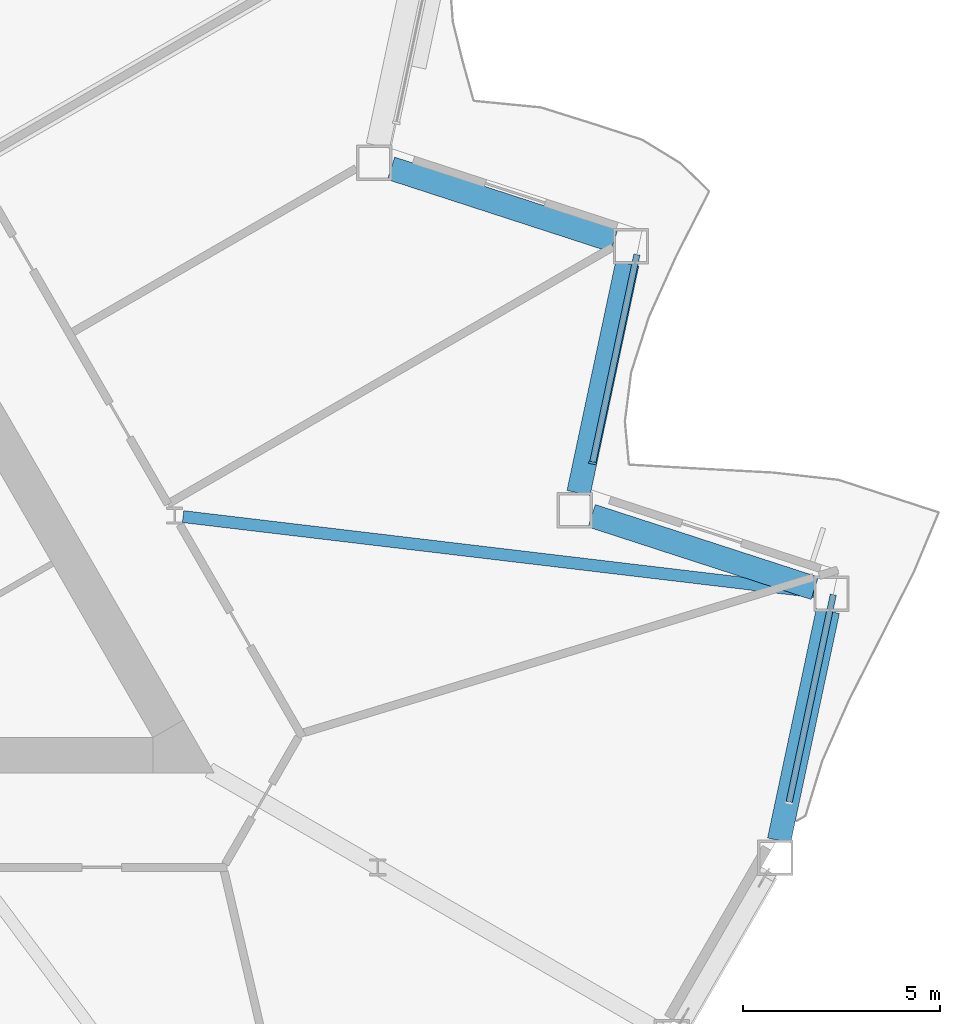
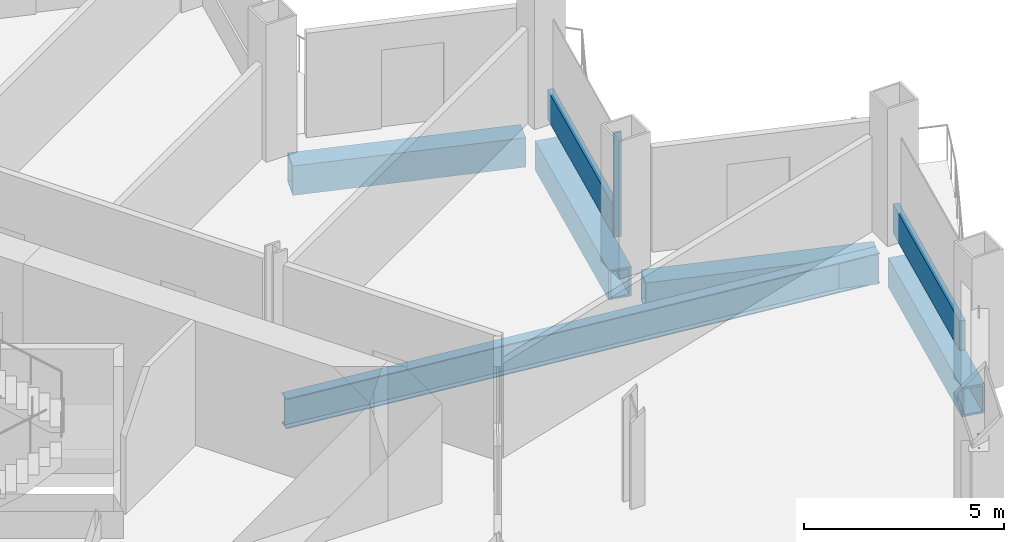
# One storey, part 6 of 21: 5 beams, 3 members, 2 elements without a shape of their own.
"""IFC4 building model written with IfcOpenShell, lengths in metres."""

from ifc_helpers import new_model, si_unit, direction, frame, origin, origin_2d, place, context, subcontext, project, spatial, rectangle, hollow_rectangle, i_section, extrude, material, layer, layer_set, material_profile, profile_set, type_object, element, aggregate, save


model = new_model("IFC4")

# Units and contexts
model_context = context("Model", 3, precision=1e-05, world=origin(), true_north=direction((0.0, 1.0)))
body_context = subcontext(model_context, "Body", "Model", "MODEL_VIEW")
ifc_project = project(units=[si_unit("LENGTHUNIT", "METRE"), si_unit("AREAUNIT", "SQUARE_METRE"), si_unit("VOLUMEUNIT", "CUBIC_METRE"), si_unit("PLANEANGLEUNIT", "RADIAN"), si_unit("MASSUNIT", "GRAM", prefix="KILO")], contexts=[model_context])

# Site, building, storey
site_placement = place(None, origin())
site = spatial("IfcSite", under=ifc_project, at=site_placement, CompositionType="ELEMENT")
building_placement = place(site_placement, origin())
building = spatial("IfcBuilding", under=site, at=building_placement, Name="Cormorant Prow Tower", CompositionType="ELEMENT")
storey_placement = place(building_placement, frame((0.0, 0.0, 99.60009765625)))
storey = spatial("IfcBuildingStorey", under=building, at=storey_placement, Name="L20", CompositionType="ELEMENT", Elevation=99.60009765625)

# Beams
ifc_material_1 = material(Name="Structural steel ASTM A572 Gr 50", Category="steel")
ifc_material_profile_1 = material_profile(ifc_material_1, hollow_rectangle(XDim=0.60009765625, YDim=0.89990234375, WallThickness=0.06005859375, at=origin_2d()), Name="Box 900x600x60")
ifc_profile_set_1 = profile_set([ifc_material_profile_1], Name="Structural steel ASTM A572 Gr 50")
beam_type_1 = type_object("IfcBeamType", Name="Belt truss top chord 900x600x60", PredefinedType="BEAM", material=ifc_profile_set_1)
beam_1_placement = place(storey_placement, frame((30.86279296875, -11.23974609375, -0.85009765625), z_axis=(0.207912620873, 0.978147403044, 0.0), x_axis=(-0.978147403044, 0.207912620873, 0.0)))
element("IfcBeam", 1, at=beam_1_placement, inside=storey, type_object=beam_type_1, Name="Belt truss top chord TC2 ENE00-ENE01 L20", PredefinedType="BEAM", context=body_context, shape_type="SweptSolid", body=[
    extrude(hollow_rectangle(XDim=0.60009765625, YDim=0.89990234375, WallThickness=0.06005859375, at=origin_2d()), origin(), (0.0, 0.0, 1.0), 5.962890625),
])
for number, where, z_axis, x_axis, name in (
    (2, (31.768310546875, -4.828125, -0.85009765625), (-0.951059340519, 0.309008302174, 0.0), (-0.309008302174, -0.951059340519, 0.0), "Belt truss top chord TC2 ENE01-ENE02 L20"),
    (3, (25.762939453125, -2.40625, -0.85009765625), (0.207920947907, 0.978145633033, 0.0), (-0.978145633033, 0.207920947907, 0.0), "Belt truss top chord TC2 ENE02-ENE03 L20"),
):
    element("IfcBeam", number, at=place(storey_placement, frame(where, z_axis=z_axis, x_axis=x_axis)), inside=storey, type_object=beam_type_1, Name=name, PredefinedType="BEAM", context=body_context, shape_type="SweptSolid", body=[
        extrude(hollow_rectangle(XDim=0.60009765625, YDim=0.89990234375, WallThickness=0.06005859375, at=origin_2d()), origin(), (0.0, 0.0, 1.0), 5.962646484375),
    ])
beam_2_placement = place(storey_placement, frame((26.668212890625, 4.00537109375, -0.85009765625), z_axis=(-0.951055430656, 0.309020335608, 0.0), x_axis=(-0.309020335608, -0.951055430656, 0.0)))
element("IfcBeam", 4, at=beam_2_placement, inside=storey, type_object=beam_type_1, Name="Belt truss top chord TC2 ENE03-ENE04 L20", PredefinedType="BEAM", context=body_context, shape_type="SweptSolid", body=[
    extrude(hollow_rectangle(XDim=0.60009765625, YDim=0.89990234375, WallThickness=0.06005859375, at=origin_2d()), origin(), (0.0, 0.0, 1.0), 5.96240234375),
])

# Curtain wall, member
ifc_material_2 = material(Name="Aluminium 6063-T6", Category="aluminium")
ifc_layer = layer(ifc_material_2, 0.199951171875)
ifc_layer_set = layer_set([ifc_layer], Name="Aluminium 6063-T6")
curtain_wall_type = type_object("IfcCurtainWallType", Name="Office unitised curtain wall 200", PredefinedType="NOTDEFINED", material=ifc_layer_set)
curtain_wall_1_placement = place(storey_placement, origin())
curtain_wall_1 = element("IfcCurtainWall", 5, at=curtain_wall_1_placement, inside=storey, type_object=curtain_wall_type, Name="Office curtain wall ENE02", PredefinedType="NOTDEFINED")
ifc_material_3 = material(Name="Aluminium 6063-T6", Category="aluminium")
ifc_material_profile_2 = material_profile(ifc_material_3, rectangle(XDim=0.199951171875, YDim=0.06005859375, at=origin_2d()), Name="Office mullion 60x200")
ifc_profile_set_2 = profile_set([ifc_material_profile_2], Name="Aluminium 6063-T6")
member_type_1 = type_object("IfcMemberType", Name="Office mullion 60x200", PredefinedType="MULLION", material=ifc_profile_set_2)
member_1_placement = place(storey_placement, frame((26.121337890625, -1.642333984375, 0.0), z_axis=(0.0, 0.0, 1.0), x_axis=(-0.978147583933, 0.207911769861, 0.0)))
member_1 = element("IfcMember", 6, at=member_1_placement, type_object=member_type_1, Name="Office mullion ENE02", PredefinedType="MULLION", context=body_context, shape_type="SweptSolid", body=[
    extrude(rectangle(XDim=0.199951171875, YDim=0.06005859375, at=origin_2d()), origin(), (0.0, 0.0, 1.0), 3.188720703125),
])

curtain_wall_2_placement = place(storey_placement, origin())
curtain_wall_2 = element("IfcCurtainWall", 7, at=curtain_wall_2_placement, inside=storey, type_object=curtain_wall_type, Name="Office curtain wall ENE00", PredefinedType="NOTDEFINED")
ifc_material_4 = material(Name="Terracotta", Category="masonry")
ifc_material_profile_3 = material_profile(ifc_material_4, rectangle(XDim=0.159912109375, YDim=0.89990234375, at=origin_2d()), Name="Office terracotta spandrel rail 160x900")
ifc_profile_set_3 = profile_set([ifc_material_profile_3], Name="Terracotta")
member_type_2 = type_object("IfcMemberType", Name="Office terracotta spandrel rail 160x900", PredefinedType="USERDEFINED", material=ifc_profile_set_3)
member_2_placement = place(storey_placement, frame((31.120361328125, -10.2607421875, 0.449951171875), z_axis=(0.207903748135, 0.978149288969, 0.0), x_axis=(-0.978149288969, 0.207903748135, 0.0)))
member_2 = element("IfcMember", 8, at=member_2_placement, type_object=member_type_2, Name="Office spandrel rail ENE00", ObjectType="TRANSOM", PredefinedType="USERDEFINED", context=body_context, shape_type="SweptSolid", body=[
    extrude(rectangle(XDim=0.159912109375, YDim=0.89990234375, at=origin_2d()), origin(), (0.0, 0.0, 1.0), 5.386474609375),
])
aggregate(curtain_wall_2, [member_2])

# Member
member_3_placement = place(storey_placement, frame((26.127685546875, -1.613037109375, 0.449951171875), z_axis=(0.207912965778, 0.978147329732, 0.0), x_axis=(-0.978147329732, 0.207912965778, 0.0)))
member_3 = element("IfcMember", 9, at=member_3_placement, type_object=member_type_2, Name="Office spandrel rail ENE02", ObjectType="TRANSOM", PredefinedType="USERDEFINED", context=body_context, shape_type="SweptSolid", body=[
    extrude(rectangle(XDim=0.159912109375, YDim=0.89990234375, at=origin_2d()), origin(), (0.0, 0.0, 1.0), 5.38623046875),
])

aggregate(curtain_wall_1, [member_1, member_3])

# Beam
ifc_material_5 = material(Name="Structural steel ASTM A992 Gr 50", Category="steel")
ifc_material_profile_4 = material_profile(ifc_material_5, i_section(OverallWidth=0.3046875, OverallDepth=0.914794921875, WebThickness=0.0166015625, FlangeThickness=0.02587890625, at=origin_2d()), Name="W36x160")
ifc_profile_set_4 = profile_set([ifc_material_profile_4], Name="Structural steel ASTM A992 Gr 50")
beam_type_2 = type_object("IfcBeamType", Name="Radial floor beam W36x160", PredefinedType="BEAM", material=ifc_profile_set_4)
beam_3_placement = place(storey_placement, frame((15.70849609375, -3.00732421875, -0.857421875), z_axis=(0.993009167646, -0.118037252474, 0.0), x_axis=(0.118037252474, 0.993009167646, 0.0)))
element("IfcBeam", 10, at=beam_3_placement, inside=storey, type_object=beam_type_2, Name="Radial floor beam FB1 10 L20", PredefinedType="BEAM", context=body_context, shape_type="SweptSolid", body=[
    extrude(i_section(OverallWidth=0.3046875, OverallDepth=0.914794921875, WebThickness=0.0166015625, FlangeThickness=0.02587890625, at=origin_2d()), origin(), (0.0, 0.0, 1.0), 16.15380859375),
])

save(model, "model.ifc")
